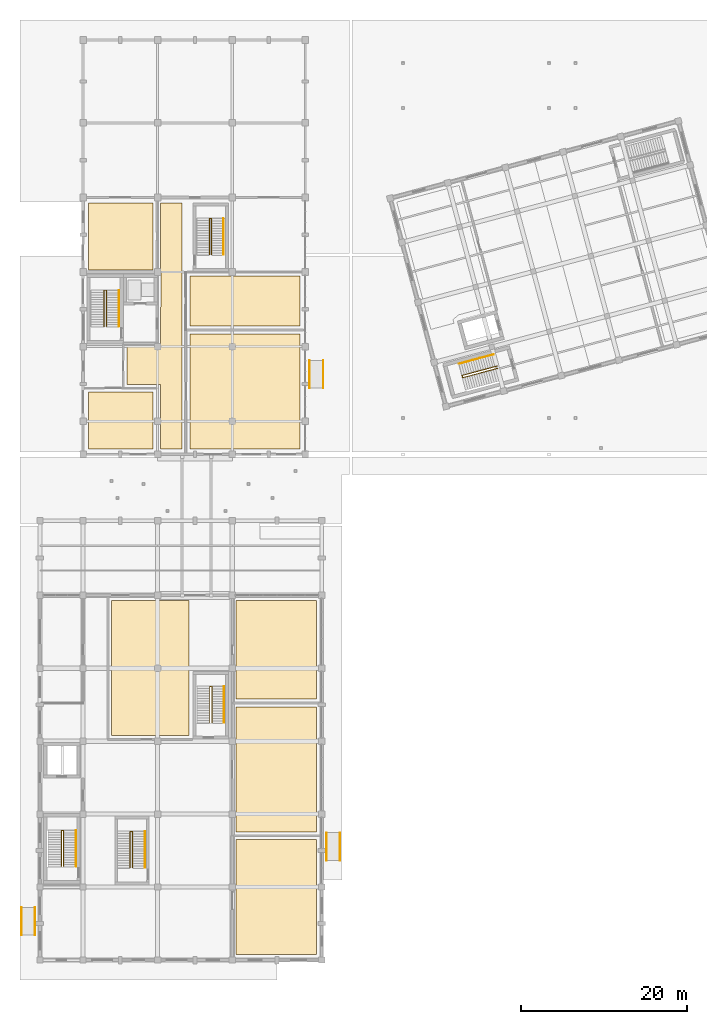
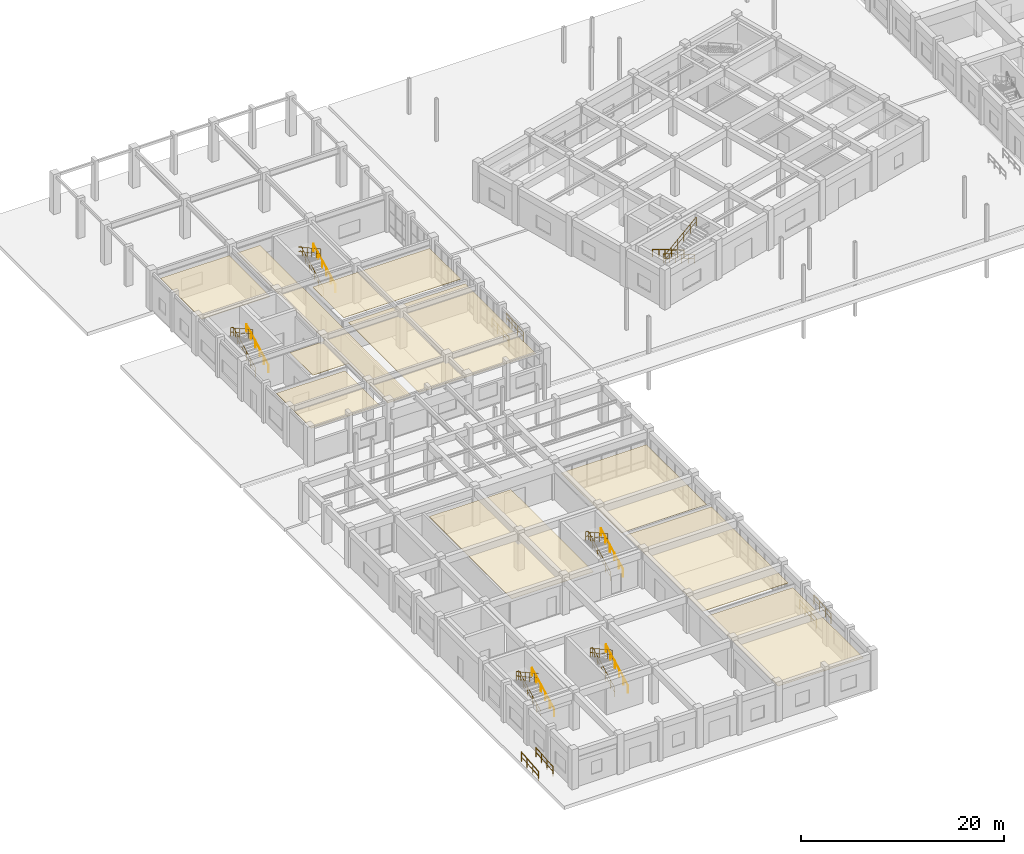
# One storey, part 44 of 47: 18 railings, 9 coverings.
"""IFC4 building model written with IfcOpenShell, lengths in metres."""

from ifc_helpers import new_model, si_unit, direction, frame, origin, origin_2d, place, context, subcontext, project, spatial, polyline, circle, outline, extrude, material, layer, layer_set, type_object, element, save


model = new_model("IFC4")

# Units and contexts
model_context = context("Model", 3, precision=1e-05, world=origin(), true_north=direction((0.0, 1.0)))
body_context = subcontext(model_context, "Body", "Model", "MODEL_VIEW")
ifc_project = project(units=[si_unit("LENGTHUNIT", "METRE"), si_unit("AREAUNIT", "SQUARE_METRE"), si_unit("VOLUMEUNIT", "CUBIC_METRE"), si_unit("PLANEANGLEUNIT", "RADIAN"), si_unit("MASSUNIT", "GRAM", prefix="KILO")], contexts=[model_context])

# Site, building, storey
site_placement = place(None, origin())
site = spatial("IfcSite", under=ifc_project, at=site_placement, CompositionType="ELEMENT")
building_placement = place(site_placement, origin())
building = spatial("IfcBuilding", under=site, at=building_placement, Name="Ventoquebrada Cableway Terminal", CompositionType="ELEMENT")
storey_placement = place(building_placement, origin())
storey = spatial("IfcBuildingStorey", under=building, at=storey_placement, Name="L00", CompositionType="ELEMENT", Elevation=0.0)

# Coverings
ifc_material_1 = material(Name="Perforated acoustic aluminium baffle ceiling", Category="aluminium")
ifc_layer = layer(ifc_material_1, 0.044921875)
ifc_layer_set = layer_set([ifc_layer], Name="Perforated acoustic aluminium baffle ceiling")
covering_type = type_object("IfcCoveringType", Name="COV-CL01", PredefinedType="CEILING", material=ifc_layer_set)
covering_1_placement = place(storey_placement, frame((0.0, 0.0, 3.43505859375)))
element("IfcCovering", 1, at=covering_1_placement, inside=storey, type_object=covering_type, Name="Acoustic baffle ceiling CL-01", PredefinedType="CEILING", context=body_context, shape_type="SweptSolid", body=[
    extrude(outline(polyline([(26.669921875, 3.64990234375), (36.35009765625, 3.64990234375), (36.35009765625, 17.550048828125), (26.669921875, 17.550048828125), (26.669921875, 3.64990234375)])), origin(), (0.0, 0.0, 1.0), 0.044921875),
])
covering_2_placement = place(storey_placement, frame((0.0, 0.0, 3.43505859375)))
element("IfcCovering", 2, at=covering_2_placement, inside=storey, type_object=covering_type, Name="Acoustic baffle ceiling CL-02", PredefinedType="CEILING", context=body_context, shape_type="SweptSolid", body=[
    extrude(outline(polyline([(26.669921875, 29.69189453125), (26.669921875, 18.469970703125), (36.35009765625, 18.469970703125), (36.35009765625, 33.550048828125), (26.64990234375, 33.550048828125), (26.64990234375, 29.739013671875), (26.669921875, 29.69189453125)])), origin(), (0.0, 0.0, 1.0), 0.044921875),
])
covering_3_placement = place(storey_placement, frame((0.0, 0.0, 3.14501953125)))
element("IfcCovering", 3, at=covering_3_placement, inside=storey, type_object=covering_type, Name="Acoustic baffle ceiling CL-03", PredefinedType="CEILING", context=body_context, shape_type="SweptSolid", body=[
    extrude(outline(polyline([(36.35009765625, 34.469970703125), (36.35009765625, 46.35009765625), (26.64990234375, 46.35009765625), (26.64990234375, 34.469970703125), (36.35009765625, 34.469970703125)])), origin(), (0.0, 0.0, 1.0), 0.044921875),
])
covering_4_placement = place(storey_placement, frame((0.0, 0.0, 3.14501953125)))
element("IfcCovering", 4, at=covering_4_placement, inside=storey, type_object=covering_type, Name="Acoustic baffle ceiling CL-04", PredefinedType="CEILING", context=body_context, shape_type="SweptSolid", body=[
    extrude(outline(polyline([(20.949951171875, 30.070068359375), (20.949951171875, 46.35009765625), (11.64990234375, 46.35009765625), (11.64990234375, 30.070068359375), (20.949951171875, 30.070068359375)])), origin(), (0.0, 0.0, 1.0), 0.044921875),
])
covering_5_placement = place(storey_placement, frame((0.0, 0.0, 3.656982421875)))
element("IfcCovering", 5, at=covering_5_placement, inside=storey, type_object=covering_type, Name="Acoustic baffle ceiling CL-05", PredefinedType="CEILING", context=body_context, shape_type="SweptSolid", body=[
    extrude(outline(polyline([(13.5, 72.449951171875), (17.550048828125, 72.449951171875), (17.550048828125, 64.64990234375), (20.14990234375, 64.64990234375), (20.14990234375, 94.35009765625), (17.550048828125, 94.35009765625), (17.550048828125, 85.992919921875), (17.6201171875, 85.89794921875), (17.6201171875, 81.907958984375), (17.570068359375, 81.7900390625), (17.56494140625, 77.10009765625), (17.199951171875, 76.929931640625), (13.5, 76.929931640625), (13.5, 72.449951171875)])), origin(), (0.0, 0.0, 1.0), 0.044921875),
])
covering_6_placement = place(storey_placement, frame((0.0, 0.0, 3.656982421875)))
element("IfcCovering", 6, at=covering_6_placement, inside=storey, type_object=covering_type, Name="Acoustic baffle ceiling CL-06", PredefinedType="CEILING", context=body_context, shape_type="SweptSolid", body=[
    extrude(outline(polyline([(16.6298828125, 64.64990234375), (16.6298828125, 71.530029296875), (12.9580078125, 71.530029296875), (12.910888671875, 71.550048828125), (8.85009765625, 71.550048828125), (8.85009765625, 64.64990234375), (16.6298828125, 64.64990234375)])), origin(), (0.0, 0.0, 1.0), 0.044921875),
])
covering_7_placement = place(storey_placement, frame((0.0, 0.0, 3.656982421875)))
element("IfcCovering", 7, at=covering_7_placement, inside=storey, type_object=covering_type, Name="Acoustic baffle ceiling CL-07", PredefinedType="CEILING", context=body_context, shape_type="SweptSolid", body=[
    extrude(outline(polyline([(21.070068359375, 64.64990234375), (34.35009765625, 64.64990234375), (34.35009765625, 78.550048828125), (21.070068359375, 78.550048828125), (21.070068359375, 64.64990234375)])), origin(), (0.0, 0.0, 1.0), 0.044921875),
])
covering_8_placement = place(storey_placement, frame((0.0, 0.0, 3.656982421875)))
element("IfcCovering", 8, at=covering_8_placement, inside=storey, type_object=covering_type, Name="Acoustic baffle ceiling CL-08", PredefinedType="CEILING", context=body_context, shape_type="SweptSolid", body=[
    extrude(outline(polyline([(16.6298828125, 86.25), (16.6298828125, 94.35009765625), (8.85009765625, 94.35009765625), (8.85009765625, 86.25), (16.6298828125, 86.25)])), origin(), (0.0, 0.0, 1.0), 0.044921875),
])
covering_9_placement = place(storey_placement, frame((0.0, 0.0, 3.656982421875)))
element("IfcCovering", 9, at=covering_9_placement, inside=storey, type_object=covering_type, Name="Acoustic baffle ceiling CL-09", PredefinedType="CEILING", context=body_context, shape_type="SweptSolid", body=[
    extrude(outline(polyline([(21.070068359375, 85.550048828125), (21.070068359375, 79.469970703125), (34.35009765625, 79.469970703125), (34.35009765625, 85.550048828125), (21.070068359375, 85.550048828125)])), origin(), (0.0, 0.0, 1.0), 0.044921875),
])

# Railings
ifc_material_2 = material(Name="Brushed stainless steel Grade 316", Category="steel")
railing_type_1 = type_object("IfcRailingType", Name="RL-GD01", PredefinedType="GUARDRAIL", material=ifc_material_2)
railing_1_placement = place(storey_placement, frame((5.860107421875, 14.300048828125, 0.14990234375)))
element("IfcRailing", 10, at=railing_1_placement, inside=storey, type_object=railing_type_1, Name="Stair well guardrail GR-S03", PredefinedType="GUARDRAIL", context=body_context, shape_type="SweptSolid", body=[
    extrude(circle(Radius=0.02392578125, at=origin_2d()), frame((0.0, 0.001708984375, 1.096923828125), z_axis=(0.0, 0.888211329745, 0.459435124596), x_axis=(-1.0, 0.0, 0.0)), (0.0, 0.0, 1.0), 4.893310546875),
    extrude(circle(Radius=0.01611328125, at=origin_2d()), frame((0.0, 0.001708984375, 0.56103515625), z_axis=(0.0, 0.888211329745, 0.459435124596), x_axis=(-1.0, 0.0, 0.0)), (0.0, 0.0, 1.0), 4.893310546875),
    extrude(circle(Radius=0.02392578125, at=origin_2d()), frame((-0.001953125, 4.349853515625, 3.34619140625), z_axis=(-1.0, 0.0, 0.0), x_axis=(0.0, -1.0, 0.0)), (0.0, 0.0, 1.0), 0.276123046875),
    extrude(circle(Radius=0.01611328125, at=origin_2d()), frame((-0.001953125, 4.349853515625, 2.81005859375), z_axis=(-1.0, 0.0, 0.0), x_axis=(0.0, -1.0, 0.0)), (0.0, 0.0, 1.0), 0.276123046875),
    extrude(circle(Radius=0.02392578125, at=origin_2d()), frame((-0.280029296875, 4.34814453125, 3.346923828125), z_axis=(0.0, -0.875558331245, 0.483112418167), x_axis=(1.0, 0.0, 0.0)), (0.0, 0.0, 1.0), 4.964111328125),
    extrude(circle(Radius=0.01611328125, at=origin_2d()), frame((-0.280029296875, 4.34814453125, 2.81103515625), z_axis=(0.0, -0.875558331245, 0.483112418167), x_axis=(1.0, 0.0, 0.0)), (0.0, 0.0, 1.0), 4.964111328125),
    extrude(circle(Radius=0.02099609375, at=origin_2d()), origin(), (0.0, 0.0, 1.0), 1.072021484375),
    extrude(circle(Radius=0.02099609375, at=origin_2d()), frame((0.0, 0.869873046875, 0.449951171875)), (0.0, 0.0, 1.0), 1.072021484375),
    extrude(circle(Radius=0.02099609375, at=origin_2d()), frame((0.0, 1.739990234375, 0.89990234375)), (0.0, 0.0, 1.0), 1.072021484375),
    extrude(circle(Radius=0.02099609375, at=origin_2d()), frame((0.0, 2.60986328125, 1.35009765625)), (0.0, 0.0, 1.0), 1.072021484375),
    extrude(circle(Radius=0.02099609375, at=origin_2d()), frame((0.0, 3.47998046875, 1.800048828125)), (0.0, 0.0, 1.0), 1.072021484375),
    extrude(circle(Radius=0.02099609375, at=origin_2d()), frame((0.0, 4.349853515625, 2.25)), (0.0, 0.0, 1.0), 1.072021484375),
    extrude(circle(Radius=0.02099609375, at=origin_2d()), frame((-0.280029296875, 4.349853515625, 2.25)), (0.0, 0.0, 1.0), 1.072021484375),
    extrude(circle(Radius=0.02099609375, at=origin_2d()), frame((-0.280029296875, 3.47998046875, 2.72998046875)), (0.0, 0.0, 1.0), 1.072021484375),
    extrude(circle(Radius=0.02099609375, at=origin_2d()), frame((-0.280029296875, 2.60986328125, 3.2099609375)), (0.0, 0.0, 1.0), 1.072021484375),
    extrude(circle(Radius=0.02099609375, at=origin_2d()), frame((-0.280029296875, 1.739990234375, 3.690185546875)), (0.0, 0.0, 1.0), 1.072021484375),
    extrude(circle(Radius=0.02099609375, at=origin_2d()), frame((-0.280029296875, 0.869873046875, 4.170166015625)), (0.0, 0.0, 1.0), 1.072021484375),
    extrude(circle(Radius=0.02099609375, at=origin_2d()), frame((-0.280029296875, 0.0, 4.650146484375)), (0.0, 0.0, 1.0), 1.072021484375),
])
railing_2_placement = place(storey_placement, frame((23.760009765625, 31.64990234375, 0.14990234375)))
element("IfcRailing", 11, at=railing_2_placement, inside=storey, type_object=railing_type_1, Name="Stair well guardrail GR-S04", PredefinedType="GUARDRAIL", context=body_context, shape_type="SweptSolid", body=[
    extrude(circle(Radius=0.02392578125, at=origin_2d()), frame((0.0, 0.001708984375, 1.096923828125), z_axis=(0.0, 0.888221851817, 0.459414782038), x_axis=(-1.0, 0.0, 0.0)), (0.0, 0.0, 1.0), 4.8935546875),
    extrude(circle(Radius=0.01611328125, at=origin_2d()), frame((0.0, 0.001708984375, 0.56103515625), z_axis=(0.0, 0.888221851817, 0.459414782038), x_axis=(-1.0, 0.0, 0.0)), (0.0, 0.0, 1.0), 4.8935546875),
    extrude(circle(Radius=0.02392578125, at=origin_2d()), frame((-0.001953125, 4.35009765625, 3.34619140625), z_axis=(-1.0, 0.0, 0.0), x_axis=(0.0, -1.0, 0.0)), (0.0, 0.0, 1.0), 0.276123046875),
    extrude(circle(Radius=0.01611328125, at=origin_2d()), frame((-0.001953125, 4.35009765625, 2.81005859375), z_axis=(-1.0, 0.0, 0.0), x_axis=(0.0, -1.0, 0.0)), (0.0, 0.0, 1.0), 0.276123046875),
    extrude(circle(Radius=0.02392578125, at=origin_2d()), frame((-0.280029296875, 4.348388671875, 3.346923828125), z_axis=(0.0, -0.875569800069, 0.483091632309), x_axis=(1.0, 0.0, 0.0)), (0.0, 0.0, 1.0), 4.96435546875),
    extrude(circle(Radius=0.01611328125, at=origin_2d()), frame((-0.280029296875, 4.348388671875, 2.81103515625), z_axis=(0.0, -0.875569800069, 0.483091632309), x_axis=(1.0, 0.0, 0.0)), (0.0, 0.0, 1.0), 4.96435546875),
    extrude(circle(Radius=0.02099609375, at=origin_2d()), origin(), (0.0, 0.0, 1.0), 1.072021484375),
    extrude(circle(Radius=0.02099609375, at=origin_2d()), frame((0.0, 0.8701171875, 0.449951171875)), (0.0, 0.0, 1.0), 1.072021484375),
    extrude(circle(Radius=0.02099609375, at=origin_2d()), frame((0.0, 1.739990234375, 0.89990234375)), (0.0, 0.0, 1.0), 1.072021484375),
    extrude(circle(Radius=0.02099609375, at=origin_2d()), frame((0.0, 2.610107421875, 1.35009765625)), (0.0, 0.0, 1.0), 1.072021484375),
    extrude(circle(Radius=0.02099609375, at=origin_2d()), frame((0.0, 3.47998046875, 1.800048828125)), (0.0, 0.0, 1.0), 1.072021484375),
    extrude(circle(Radius=0.02099609375, at=origin_2d()), frame((0.0, 4.35009765625, 2.25)), (0.0, 0.0, 1.0), 1.072021484375),
    extrude(circle(Radius=0.02099609375, at=origin_2d()), frame((-0.280029296875, 4.35009765625, 2.25)), (0.0, 0.0, 1.0), 1.072021484375),
    extrude(circle(Radius=0.02099609375, at=origin_2d()), frame((-0.280029296875, 3.47998046875, 2.72998046875)), (0.0, 0.0, 1.0), 1.072021484375),
    extrude(circle(Radius=0.02099609375, at=origin_2d()), frame((-0.280029296875, 2.610107421875, 3.2099609375)), (0.0, 0.0, 1.0), 1.072021484375),
    extrude(circle(Radius=0.02099609375, at=origin_2d()), frame((-0.280029296875, 1.739990234375, 3.690185546875)), (0.0, 0.0, 1.0), 1.072021484375),
    extrude(circle(Radius=0.02099609375, at=origin_2d()), frame((-0.280029296875, 0.8701171875, 4.170166015625)), (0.0, 0.0, 1.0), 1.072021484375),
    extrude(circle(Radius=0.02099609375, at=origin_2d()), frame((-0.280029296875, 0.0, 4.650146484375)), (0.0, 0.0, 1.0), 1.072021484375),
])
railing_3_placement = place(storey_placement, frame((14.159912109375, 14.14990234375, 0.14990234375)))
element("IfcRailing", 12, at=railing_3_placement, inside=storey, type_object=railing_type_1, Name="Stair well guardrail GR-S09", PredefinedType="GUARDRAIL", context=body_context, shape_type="SweptSolid", body=[
    extrude(circle(Radius=0.02392578125, at=origin_2d()), frame((0.0, 0.001708984375, 1.096923828125), z_axis=(0.0, 0.888221851817, 0.459414782038), x_axis=(-1.0, 0.0, 0.0)), (0.0, 0.0, 1.0), 4.8935546875),
    extrude(circle(Radius=0.01611328125, at=origin_2d()), frame((0.0, 0.001708984375, 0.56103515625), z_axis=(0.0, 0.888221851817, 0.459414782038), x_axis=(-1.0, 0.0, 0.0)), (0.0, 0.0, 1.0), 4.8935546875),
    extrude(circle(Radius=0.02392578125, at=origin_2d()), frame((-0.001953125, 4.35009765625, 3.34619140625), z_axis=(-1.0, 0.0, 0.0), x_axis=(0.0, -1.0, 0.0)), (0.0, 0.0, 1.0), 0.276123046875),
    extrude(circle(Radius=0.01611328125, at=origin_2d()), frame((-0.001953125, 4.35009765625, 2.81005859375), z_axis=(-1.0, 0.0, 0.0), x_axis=(0.0, -1.0, 0.0)), (0.0, 0.0, 1.0), 0.276123046875),
    extrude(circle(Radius=0.02392578125, at=origin_2d()), frame((-0.280029296875, 4.348388671875, 3.346923828125), z_axis=(0.0, -0.875569800069, 0.483091632309), x_axis=(1.0, 0.0, 0.0)), (0.0, 0.0, 1.0), 4.96435546875),
    extrude(circle(Radius=0.01611328125, at=origin_2d()), frame((-0.280029296875, 4.348388671875, 2.81103515625), z_axis=(0.0, -0.875569800069, 0.483091632309), x_axis=(1.0, 0.0, 0.0)), (0.0, 0.0, 1.0), 4.96435546875),
    extrude(circle(Radius=0.02099609375, at=origin_2d()), origin(), (0.0, 0.0, 1.0), 1.072021484375),
    extrude(circle(Radius=0.02099609375, at=origin_2d()), frame((0.0, 0.8701171875, 0.449951171875)), (0.0, 0.0, 1.0), 1.072021484375),
    extrude(circle(Radius=0.02099609375, at=origin_2d()), frame((0.0, 1.739990234375, 0.89990234375)), (0.0, 0.0, 1.0), 1.072021484375),
    extrude(circle(Radius=0.02099609375, at=origin_2d()), frame((0.0, 2.610107421875, 1.35009765625)), (0.0, 0.0, 1.0), 1.072021484375),
    extrude(circle(Radius=0.02099609375, at=origin_2d()), frame((0.0, 3.47998046875, 1.800048828125)), (0.0, 0.0, 1.0), 1.072021484375),
    extrude(circle(Radius=0.02099609375, at=origin_2d()), frame((0.0, 4.35009765625, 2.25)), (0.0, 0.0, 1.0), 1.072021484375),
    extrude(circle(Radius=0.02099609375, at=origin_2d()), frame((-0.280029296875, 4.35009765625, 2.25)), (0.0, 0.0, 1.0), 1.072021484375),
    extrude(circle(Radius=0.02099609375, at=origin_2d()), frame((-0.280029296875, 3.47998046875, 2.72998046875)), (0.0, 0.0, 1.0), 1.072021484375),
    extrude(circle(Radius=0.02099609375, at=origin_2d()), frame((-0.280029296875, 2.610107421875, 3.2099609375)), (0.0, 0.0, 1.0), 1.072021484375),
    extrude(circle(Radius=0.02099609375, at=origin_2d()), frame((-0.280029296875, 1.739990234375, 3.690185546875)), (0.0, 0.0, 1.0), 1.072021484375),
    extrude(circle(Radius=0.02099609375, at=origin_2d()), frame((-0.280029296875, 0.8701171875, 4.170166015625)), (0.0, 0.0, 1.0), 1.072021484375),
    extrude(circle(Radius=0.02099609375, at=origin_2d()), frame((-0.280029296875, 0.0, 4.650146484375)), (0.0, 0.0, 1.0), 1.072021484375),
])
railing_4_placement = place(storey_placement, frame((11.010009765625, 79.449951171875, 0.14990234375)))
element("IfcRailing", 13, at=railing_4_placement, inside=storey, type_object=railing_type_1, Name="Stair well guardrail GR-S11", PredefinedType="GUARDRAIL", context=body_context, shape_type="SweptSolid", body=[
    extrude(circle(Radius=0.02392578125, at=origin_2d()), frame((0.0, 0.001708984375, 1.096923828125), z_axis=(0.0, 0.888221851817, 0.459414782038), x_axis=(-1.0, 0.0, 0.0)), (0.0, 0.0, 1.0), 4.8935546875),
    extrude(circle(Radius=0.01611328125, at=origin_2d()), frame((0.0, 0.001708984375, 0.56103515625), z_axis=(0.0, 0.888221851817, 0.459414782038), x_axis=(-1.0, 0.0, 0.0)), (0.0, 0.0, 1.0), 4.8935546875),
    extrude(circle(Radius=0.02392578125, at=origin_2d()), frame((-0.001953125, 4.35009765625, 3.34619140625), z_axis=(-1.0, 0.0, 0.0), x_axis=(0.0, -1.0, 0.0)), (0.0, 0.0, 1.0), 0.276123046875),
    extrude(circle(Radius=0.01611328125, at=origin_2d()), frame((-0.001953125, 4.35009765625, 2.81005859375), z_axis=(-1.0, 0.0, 0.0), x_axis=(0.0, -1.0, 0.0)), (0.0, 0.0, 1.0), 0.276123046875),
    extrude(circle(Radius=0.02392578125, at=origin_2d()), frame((-0.280029296875, 4.348388671875, 3.346923828125), z_axis=(0.0, -0.875569800069, 0.483091632309), x_axis=(1.0, 0.0, 0.0)), (0.0, 0.0, 1.0), 4.96435546875),
    extrude(circle(Radius=0.01611328125, at=origin_2d()), frame((-0.280029296875, 4.348388671875, 2.81103515625), z_axis=(0.0, -0.875569800069, 0.483091632309), x_axis=(1.0, 0.0, 0.0)), (0.0, 0.0, 1.0), 4.96435546875),
    extrude(circle(Radius=0.02099609375, at=origin_2d()), origin(), (0.0, 0.0, 1.0), 1.072021484375),
    extrude(circle(Radius=0.02099609375, at=origin_2d()), frame((0.0, 0.8701171875, 0.449951171875)), (0.0, 0.0, 1.0), 1.072021484375),
    extrude(circle(Radius=0.02099609375, at=origin_2d()), frame((0.0, 1.739990234375, 0.89990234375)), (0.0, 0.0, 1.0), 1.072021484375),
    extrude(circle(Radius=0.02099609375, at=origin_2d()), frame((0.0, 2.610107421875, 1.35009765625)), (0.0, 0.0, 1.0), 1.072021484375),
    extrude(circle(Radius=0.02099609375, at=origin_2d()), frame((0.0, 3.47998046875, 1.800048828125)), (0.0, 0.0, 1.0), 1.072021484375),
    extrude(circle(Radius=0.02099609375, at=origin_2d()), frame((0.0, 4.35009765625, 2.25)), (0.0, 0.0, 1.0), 1.072021484375),
    extrude(circle(Radius=0.02099609375, at=origin_2d()), frame((-0.280029296875, 4.35009765625, 2.25)), (0.0, 0.0, 1.0), 1.072021484375),
    extrude(circle(Radius=0.02099609375, at=origin_2d()), frame((-0.280029296875, 3.47998046875, 2.72998046875)), (0.0, 0.0, 1.0), 1.072021484375),
    extrude(circle(Radius=0.02099609375, at=origin_2d()), frame((-0.280029296875, 2.610107421875, 3.2099609375)), (0.0, 0.0, 1.0), 1.072021484375),
    extrude(circle(Radius=0.02099609375, at=origin_2d()), frame((-0.280029296875, 1.739990234375, 3.690185546875)), (0.0, 0.0, 1.0), 1.072021484375),
    extrude(circle(Radius=0.02099609375, at=origin_2d()), frame((-0.280029296875, 0.8701171875, 4.170166015625)), (0.0, 0.0, 1.0), 1.072021484375),
    extrude(circle(Radius=0.02099609375, at=origin_2d()), frame((-0.280029296875, 0.0, 4.650146484375)), (0.0, 0.0, 1.0), 1.072021484375),
])
railing_5_placement = place(storey_placement, frame((23.7099609375, 88.10009765625, 0.14990234375)))
element("IfcRailing", 14, at=railing_5_placement, inside=storey, type_object=railing_type_1, Name="Stair well guardrail GR-S12", PredefinedType="GUARDRAIL", context=body_context, shape_type="SweptSolid", body=[
    extrude(circle(Radius=0.02392578125, at=origin_2d()), frame((0.0, 0.001708984375, 1.096923828125), z_axis=(0.0, 0.888211329745, 0.459435124596), x_axis=(-1.0, 0.0, 0.0)), (0.0, 0.0, 1.0), 4.893310546875),
    extrude(circle(Radius=0.01611328125, at=origin_2d()), frame((0.0, 0.001708984375, 0.56103515625), z_axis=(0.0, 0.888211329745, 0.459435124596), x_axis=(-1.0, 0.0, 0.0)), (0.0, 0.0, 1.0), 4.893310546875),
    extrude(circle(Radius=0.02392578125, at=origin_2d()), frame((-0.001953125, 4.349853515625, 3.34619140625), z_axis=(-1.0, 0.0, 0.0), x_axis=(0.0, -1.0, 0.0)), (0.0, 0.0, 1.0), 0.276123046875),
    extrude(circle(Radius=0.01611328125, at=origin_2d()), frame((-0.001953125, 4.349853515625, 2.81005859375), z_axis=(-1.0, 0.0, 0.0), x_axis=(0.0, -1.0, 0.0)), (0.0, 0.0, 1.0), 0.276123046875),
    extrude(circle(Radius=0.02392578125, at=origin_2d()), frame((-0.280029296875, 4.34814453125, 3.346923828125), z_axis=(0.0, -0.875558331245, 0.483112418167), x_axis=(1.0, 0.0, 0.0)), (0.0, 0.0, 1.0), 4.964111328125),
    extrude(circle(Radius=0.01611328125, at=origin_2d()), frame((-0.280029296875, 4.34814453125, 2.81103515625), z_axis=(0.0, -0.875558331245, 0.483112418167), x_axis=(1.0, 0.0, 0.0)), (0.0, 0.0, 1.0), 4.964111328125),
    extrude(circle(Radius=0.02099609375, at=origin_2d()), origin(), (0.0, 0.0, 1.0), 1.072021484375),
    extrude(circle(Radius=0.02099609375, at=origin_2d()), frame((0.0, 0.869873046875, 0.449951171875)), (0.0, 0.0, 1.0), 1.072021484375),
    extrude(circle(Radius=0.02099609375, at=origin_2d()), frame((0.0, 1.739990234375, 0.89990234375)), (0.0, 0.0, 1.0), 1.072021484375),
    extrude(circle(Radius=0.02099609375, at=origin_2d()), frame((0.0, 2.60986328125, 1.35009765625)), (0.0, 0.0, 1.0), 1.072021484375),
    extrude(circle(Radius=0.02099609375, at=origin_2d()), frame((0.0, 3.47998046875, 1.800048828125)), (0.0, 0.0, 1.0), 1.072021484375),
    extrude(circle(Radius=0.02099609375, at=origin_2d()), frame((0.0, 4.349853515625, 2.25)), (0.0, 0.0, 1.0), 1.072021484375),
    extrude(circle(Radius=0.02099609375, at=origin_2d()), frame((-0.280029296875, 4.349853515625, 2.25)), (0.0, 0.0, 1.0), 1.072021484375),
    extrude(circle(Radius=0.02099609375, at=origin_2d()), frame((-0.280029296875, 3.47998046875, 2.72998046875)), (0.0, 0.0, 1.0), 1.072021484375),
    extrude(circle(Radius=0.02099609375, at=origin_2d()), frame((-0.280029296875, 2.60986328125, 3.2099609375)), (0.0, 0.0, 1.0), 1.072021484375),
    extrude(circle(Radius=0.02099609375, at=origin_2d()), frame((-0.280029296875, 1.739990234375, 3.690185546875)), (0.0, 0.0, 1.0), 1.072021484375),
    extrude(circle(Radius=0.02099609375, at=origin_2d()), frame((-0.280029296875, 0.869873046875, 4.170166015625)), (0.0, 0.0, 1.0), 1.072021484375),
    extrude(circle(Radius=0.02099609375, at=origin_2d()), frame((-0.280029296875, 0.0, 4.650146484375)), (0.0, 0.0, 1.0), 1.072021484375),
])
railing_6_placement = place(storey_placement, frame((58.1279296875, 74.652099609375, 0.14990234375)))
element("IfcRailing", 15, at=railing_6_placement, inside=storey, type_object=railing_type_1, Name="Stair well guardrail GR-S24", PredefinedType="GUARDRAIL", context=body_context, shape_type="SweptSolid", body=[
    extrude(circle(Radius=0.02392578125, at=origin_2d()), frame((-0.001708984375, -0.00048828125, 1.096923828125), z_axis=(-0.857944788778, -0.229951734974, 0.459404983637), x_axis=(0.258888500061, -0.965907213213, 0.0)), (0.0, 0.0, 1.0), 4.8935546875),
    extrude(circle(Radius=0.01611328125, at=origin_2d()), frame((-0.001708984375, -0.00048828125, 0.56103515625), z_axis=(-0.857944788778, -0.229951734974, 0.459404983637), x_axis=(0.258888500061, -0.965907213213, 0.0)), (0.0, 0.0, 1.0), 4.8935546875),
    extrude(circle(Radius=0.02392578125, at=origin_2d()), frame((-4.201416015625, -1.128173828125, 3.34619140625), z_axis=(0.260098256048, -0.965582154558, 0.0), x_axis=(0.965582154558, 0.260098256048, 0.0)), (0.0, 0.0, 1.0), 0.276611328125),
    extrude(circle(Radius=0.01611328125, at=origin_2d()), frame((-4.201416015625, -1.128173828125, 2.81005859375), z_axis=(0.260098256048, -0.965582154558, 0.0), x_axis=(0.965582154558, 0.260098256048, 0.0)), (0.0, 0.0, 1.0), 0.276611328125),
    extrude(circle(Radius=0.02392578125, at=origin_2d()), frame((-4.127197265625, -1.396728515625, 3.346923828125), z_axis=(0.845668538369, 0.226714067966, 0.483161934137), x_axis=(-0.258944647281, 0.965892162534, 0.0)), (0.0, 0.0, 1.0), 4.963623046875),
    extrude(circle(Radius=0.01611328125, at=origin_2d()), frame((-4.127197265625, -1.396728515625, 2.81103515625), z_axis=(0.845668538369, 0.226714067966, 0.483161934137), x_axis=(-0.258944647281, 0.965892162534, 0.0)), (0.0, 0.0, 1.0), 4.963623046875),
    extrude(circle(Radius=0.02099609375, at=origin_2d()), origin(), (0.0, 0.0, 1.0), 1.072021484375),
    extrude(circle(Radius=0.02099609375, at=origin_2d()), frame((-0.84033203125, -0.225341796875, 0.449951171875)), (0.0, 0.0, 1.0), 1.072021484375),
    extrude(circle(Radius=0.02099609375, at=origin_2d()), frame((-1.6806640625, -0.450439453125, 0.89990234375)), (0.0, 0.0, 1.0), 1.072021484375),
    extrude(circle(Radius=0.02099609375, at=origin_2d()), frame((-2.521240234375, -0.67578125, 1.35009765625)), (0.0, 0.0, 1.0), 1.072021484375),
    extrude(circle(Radius=0.02099609375, at=origin_2d()), frame((-3.361572265625, -0.90087890625, 1.800048828125)), (0.0, 0.0, 1.0), 1.072021484375),
    extrude(circle(Radius=0.02099609375, at=origin_2d()), frame((-4.201904296875, -1.126220703125, 2.25)), (0.0, 0.0, 1.0), 1.072021484375),
    extrude(circle(Radius=0.02099609375, at=origin_2d()), frame((-4.12890625, -1.397216796875, 2.25)), (0.0, 0.0, 1.0), 1.072021484375),
    extrude(circle(Radius=0.02099609375, at=origin_2d()), frame((-3.288818359375, -1.171875, 2.72998046875)), (0.0, 0.0, 1.0), 1.072021484375),
    extrude(circle(Radius=0.02099609375, at=origin_2d()), frame((-2.448486328125, -0.94677734375, 3.2099609375)), (0.0, 0.0, 1.0), 1.072021484375),
    extrude(circle(Radius=0.02099609375, at=origin_2d()), frame((-1.6083984375, -0.721435546875, 3.690185546875)), (0.0, 0.0, 1.0), 1.072021484375),
    extrude(circle(Radius=0.02099609375, at=origin_2d()), frame((-0.76806640625, -0.496337890625, 4.170166015625)), (0.0, 0.0, 1.0), 1.072021484375),
    extrude(circle(Radius=0.02099609375, at=origin_2d()), frame((0.072021484375, -0.27099609375, 4.650146484375)), (0.0, 0.0, 1.0), 1.072021484375),
])
railing_type_2 = type_object("IfcRailingType", Name="RL-GD02", PredefinedType="BALUSTRADE", material=ifc_material_2)
for number, where, name in (
    (16, (0.780029296875, 6.0, -0.280029296875), "Accessible ramp guardrail GR-R38"),
    (17, (2.419921875, 6.0, -0.280029296875), "Accessible ramp guardrail GR-R39"),
    (18, (37.580078125, 15.0, -0.280029296875), "Accessible ramp guardrail GR-R40"),
    (19, (39.219970703125, 15.0, -0.280029296875), "Accessible ramp guardrail GR-R41"),
    (20, (35.530029296875, 72.0, -0.280029296875), "Accessible ramp guardrail GR-R42"),
    (21, (37.169921875, 72.0, -0.280029296875), "Accessible ramp guardrail GR-R43"),
):
    element("IfcRailing", number, at=place(storey_placement, frame(where)), inside=storey, type_object=railing_type_2, Name=name, PredefinedType="BALUSTRADE", context=body_context, shape_type="SweptSolid", body=[
        extrude(circle(Radius=0.02392578125, at=origin_2d()), frame((0.0, 0.001953125, 1.1259765625), z_axis=(0.0, 0.996545258864, 0.083051472202), x_axis=(-1.0, 0.0, 0.0)), (0.0, 0.0, 1.0), 3.36767578125),
        extrude(circle(Radius=0.01611328125, at=origin_2d()), frame((0.0, 0.001953125, 0.5751953125), z_axis=(0.0, 0.996545258864, 0.083051472202), x_axis=(-1.0, 0.0, 0.0)), (0.0, 0.0, 1.0), 3.36767578125),
        extrude(circle(Radius=0.02099609375, at=origin_2d()), origin(), (0.0, 0.0, 1.0), 1.101806640625),
        extrude(circle(Radius=0.02099609375, at=origin_2d()), frame((0.0, 1.1201171875, 0.09326171875)), (0.0, 0.0, 1.0), 1.101806640625),
        extrude(circle(Radius=0.02099609375, at=origin_2d()), frame((0.0, 2.239990234375, 0.186767578125)), (0.0, 0.0, 1.0), 1.101806640625),
        extrude(circle(Radius=0.02099609375, at=origin_2d()), frame((0.0, 3.360107421875, 0.280029296875)), (0.0, 0.0, 1.0), 1.101806640625),
    ])
railing_type_3 = type_object("IfcRailingType", Name="RL-HR01", PredefinedType="HANDRAIL", material=ifc_material_2)
railing_7_placement = place(storey_placement, frame((7.3701171875, 14.300048828125, 0.14990234375)))
element("IfcRailing", 22, at=railing_7_placement, inside=storey, type_object=railing_type_3, Name="Stair wall handrail HR-S03", PredefinedType="HANDRAIL", context=body_context, shape_type="SweptSolid", body=[
    extrude(circle(Radius=0.02392578125, at=origin_2d()), frame((0.0, 0.001708984375, 0.896728515625), z_axis=(0.0, 0.888211329745, 0.459435124596), x_axis=(-1.0, 0.0, 0.0)), (0.0, 0.0, 1.0), 4.893310546875),
    extrude(circle(Radius=0.02099609375, at=origin_2d()), origin(), (0.0, 0.0, 1.0), 0.871826171875),
    extrude(circle(Radius=0.02099609375, at=origin_2d()), frame((0.0, 0.869873046875, 0.449951171875)), (0.0, 0.0, 1.0), 0.871826171875),
    extrude(circle(Radius=0.02099609375, at=origin_2d()), frame((0.0, 1.739990234375, 0.89990234375)), (0.0, 0.0, 1.0), 0.871826171875),
    extrude(circle(Radius=0.02099609375, at=origin_2d()), frame((0.0, 2.60986328125, 1.35009765625)), (0.0, 0.0, 1.0), 0.871826171875),
    extrude(circle(Radius=0.02099609375, at=origin_2d()), frame((0.0, 3.47998046875, 1.800048828125)), (0.0, 0.0, 1.0), 0.871826171875),
    extrude(circle(Radius=0.02099609375, at=origin_2d()), frame((0.0, 4.349853515625, 2.25)), (0.0, 0.0, 1.0), 0.871826171875),
])
for number, where, name in (
    (23, (25.219970703125, 31.64990234375, 0.14990234375), "Stair wall handrail HR-S04"),
    (24, (15.669921875, 14.14990234375, 0.14990234375), "Stair wall handrail HR-S09"),
    (25, (12.52001953125, 79.449951171875, 0.14990234375), "Stair wall handrail HR-S11"),
):
    element("IfcRailing", number, at=place(storey_placement, frame(where)), inside=storey, type_object=railing_type_3, Name=name, PredefinedType="HANDRAIL", context=body_context, shape_type="SweptSolid", body=[
        extrude(circle(Radius=0.02392578125, at=origin_2d()), frame((0.0, 0.001708984375, 0.896728515625), z_axis=(0.0, 0.888221851817, 0.459414782038), x_axis=(-1.0, 0.0, 0.0)), (0.0, 0.0, 1.0), 4.8935546875),
        extrude(circle(Radius=0.02099609375, at=origin_2d()), origin(), (0.0, 0.0, 1.0), 0.871826171875),
        extrude(circle(Radius=0.02099609375, at=origin_2d()), frame((0.0, 0.8701171875, 0.449951171875)), (0.0, 0.0, 1.0), 0.871826171875),
        extrude(circle(Radius=0.02099609375, at=origin_2d()), frame((0.0, 1.739990234375, 0.89990234375)), (0.0, 0.0, 1.0), 0.871826171875),
        extrude(circle(Radius=0.02099609375, at=origin_2d()), frame((0.0, 2.610107421875, 1.35009765625)), (0.0, 0.0, 1.0), 0.871826171875),
        extrude(circle(Radius=0.02099609375, at=origin_2d()), frame((0.0, 3.47998046875, 1.800048828125)), (0.0, 0.0, 1.0), 0.871826171875),
        extrude(circle(Radius=0.02099609375, at=origin_2d()), frame((0.0, 4.35009765625, 2.25)), (0.0, 0.0, 1.0), 0.871826171875),
    ])
railing_8_placement = place(storey_placement, frame((25.1201171875, 88.10009765625, 0.14990234375)))
element("IfcRailing", 26, at=railing_8_placement, inside=storey, type_object=railing_type_3, Name="Stair wall handrail HR-S12", PredefinedType="HANDRAIL", context=body_context, shape_type="SweptSolid", body=[
    extrude(circle(Radius=0.02392578125, at=origin_2d()), frame((0.0, 0.001708984375, 0.896728515625), z_axis=(0.0, 0.888211329745, 0.459435124596), x_axis=(-1.0, 0.0, 0.0)), (0.0, 0.0, 1.0), 4.893310546875),
    extrude(circle(Radius=0.02099609375, at=origin_2d()), origin(), (0.0, 0.0, 1.0), 0.871826171875),
    extrude(circle(Radius=0.02099609375, at=origin_2d()), frame((0.0, 0.869873046875, 0.449951171875)), (0.0, 0.0, 1.0), 0.871826171875),
    extrude(circle(Radius=0.02099609375, at=origin_2d()), frame((0.0, 1.739990234375, 0.89990234375)), (0.0, 0.0, 1.0), 0.871826171875),
    extrude(circle(Radius=0.02099609375, at=origin_2d()), frame((0.0, 2.60986328125, 1.35009765625)), (0.0, 0.0, 1.0), 0.871826171875),
    extrude(circle(Radius=0.02099609375, at=origin_2d()), frame((0.0, 3.47998046875, 1.800048828125)), (0.0, 0.0, 1.0), 0.871826171875),
    extrude(circle(Radius=0.02099609375, at=origin_2d()), frame((0.0, 4.349853515625, 2.25)), (0.0, 0.0, 1.0), 0.871826171875),
])
railing_9_placement = place(storey_placement, frame((57.75, 76.06201171875, 0.14990234375)))
element("IfcRailing", 27, at=railing_9_placement, inside=storey, type_object=railing_type_3, Name="Stair wall handrail HR-S24", PredefinedType="HANDRAIL", context=body_context, shape_type="SweptSolid", body=[
    extrude(circle(Radius=0.02392578125, at=origin_2d()), frame((-0.001708984375, -0.00048828125, 0.896728515625), z_axis=(-0.857954622313, -0.229904521417, 0.459410249215), x_axis=(0.258836138861, -0.965921245868, 0.0)), (0.0, 0.0, 1.0), 4.8935546875),
    extrude(circle(Radius=0.02099609375, at=origin_2d()), origin(), (0.0, 0.0, 1.0), 0.871826171875),
    extrude(circle(Radius=0.02099609375, at=origin_2d()), frame((-0.84033203125, -0.22509765625, 0.449951171875)), (0.0, 0.0, 1.0), 0.871826171875),
    extrude(circle(Radius=0.02099609375, at=origin_2d()), frame((-1.6806640625, -0.450439453125, 0.89990234375)), (0.0, 0.0, 1.0), 0.871826171875),
    extrude(circle(Radius=0.02099609375, at=origin_2d()), frame((-2.521240234375, -0.675537109375, 1.35009765625)), (0.0, 0.0, 1.0), 0.871826171875),
    extrude(circle(Radius=0.02099609375, at=origin_2d()), frame((-3.361572265625, -0.90087890625, 1.800048828125)), (0.0, 0.0, 1.0), 0.871826171875),
    extrude(circle(Radius=0.02099609375, at=origin_2d()), frame((-4.201904296875, -1.1259765625, 2.25)), (0.0, 0.0, 1.0), 0.871826171875),
])

save(model, "model.ifc")
